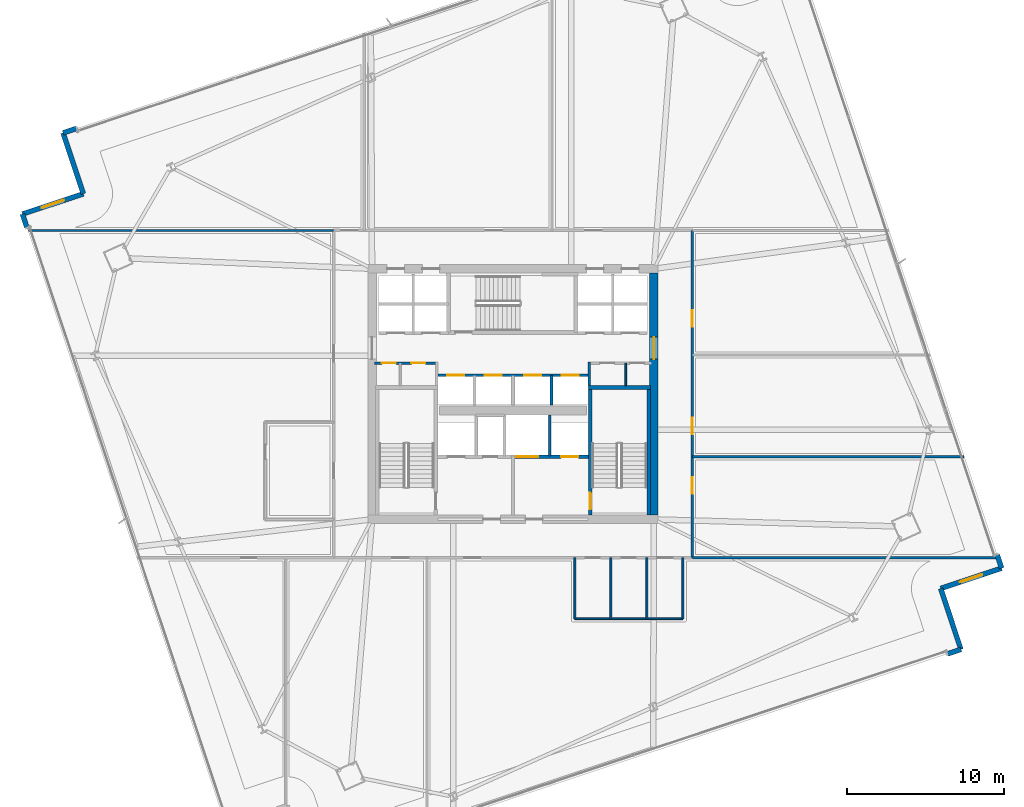
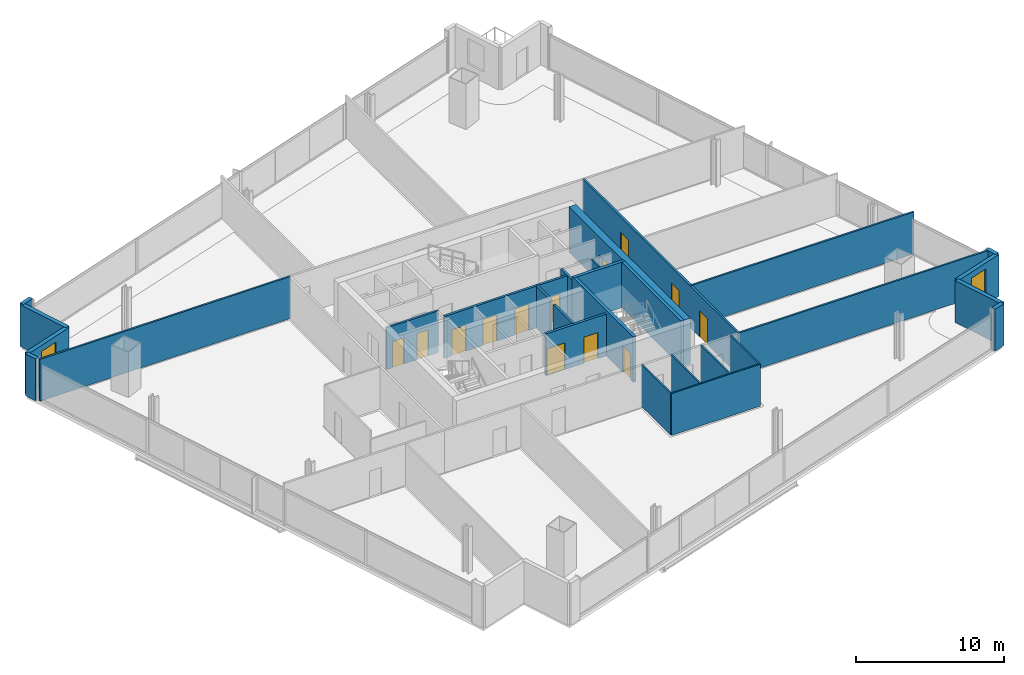
# One storey, part 26 of 34: 28 walls, 13 doors, 2 windows, 15 openings.
"""IFC4 building model written with IfcOpenShell, lengths in metres."""

from ifc_helpers import new_model, si_unit, direction, frame, frame_2d, origin, place, context, subcontext, project, spatial, rectangle, extrude, material, layer, layer_set, type_object, element, fill, save


model = new_model("IFC4")

# Units and contexts
model_context = context("Model", 3, precision=1e-05, world=origin(), true_north=direction((0.0, 1.0)))
body_context = subcontext(model_context, "Body", "Model", "MODEL_VIEW")
ifc_project = project(units=[si_unit("LENGTHUNIT", "METRE"), si_unit("AREAUNIT", "SQUARE_METRE"), si_unit("VOLUMEUNIT", "CUBIC_METRE"), si_unit("PLANEANGLEUNIT", "RADIAN"), si_unit("MASSUNIT", "GRAM", prefix="KILO")], contexts=[model_context])

# Site, building, storey
site_placement = place(None, origin())
site = spatial("IfcSite", under=ifc_project, at=site_placement, CompositionType="ELEMENT")
building_placement = place(site_placement, origin())
building = spatial("IfcBuilding", under=site, at=building_placement, Name="Haldenkirk Collegiate Tower", CompositionType="ELEMENT")
storey_placement = place(building_placement, frame((0.0, 0.0, 90.449951171875)))
storey = spatial("IfcBuildingStorey", under=building, at=storey_placement, Name="L21", CompositionType="ELEMENT", Elevation=90.449951171875)

# Wall, opening, door
ifc_material_1 = material(Name="Concrete f'c 70 MPa", Category="concrete")
ifc_layer_1 = layer(ifc_material_1, 0.550048828125)
ifc_layer_set_1 = layer_set([ifc_layer_1], Name="Concrete f'c 70 MPa")
wall_type_1 = type_object("IfcWallType", Name="WL-CORE-550", PredefinedType="SHEAR", material=ifc_layer_set_1)
wall_1_placement = place(storey_placement, frame((45.0, 18.27490234375, 0.0), z_axis=(0.0, 0.0, 1.0), x_axis=(0.0, 1.0, 0.0)))
wall_1 = element("IfcWall", 1, at=wall_1_placement, inside=storey, type_object=wall_type_1, Name="L21 central core shear wall E", PredefinedType="SHEAR", context=body_context, shape_type="SweptSolid", body=[
    extrude(rectangle(XDim=15.4501953125, YDim=0.550048828125, at=frame_2d((7.72509765625, 0.0))), origin(), (0.0, 0.0, 1.0), 3.75),
])
opening_1_placement = place(wall_1_placement, frame((9.965087890625, 0.0, 0.0)))
opening_1 = element("IfcOpeningElement", 2, at=opening_1_placement, cuts=wall_1, Name="Opening D-03", PredefinedType="OPENING", context=body_context, shape_type="SweptSolid", body=[
    extrude(rectangle(XDim=1.39990234375, YDim=2.199951171875, at=frame_2d((0.699951171875, 1.10009765625))), frame((0.0, 0.284912109375, 0.0), z_axis=(0.0, -1.0, 0.0), x_axis=(1.0, 0.0, 0.0)), (0.0, 0.0, 1.0), 0.570068359375),
])
ifc_material_2 = material(Name="Galvanized fire-rated hollow steel door", Category="steel")
ifc_layer_2 = layer(ifc_material_2, 0.06005859375)
ifc_layer_set_2 = layer_set([ifc_layer_2], Name="Galvanized fire-rated hollow steel door")
door_type_1 = type_object("IfcDoorType", Name="DR-LOBBY-FD90-1400", OperationType="NOTDEFINED", PredefinedType="DOOR", material=ifc_layer_set_2)
door_1_placement = place(opening_1_placement, origin())
door_1 = element("IfcDoor", 3, at=door_1_placement, inside=storey, type_object=door_type_1, Name="L21 east lift lobby portal", OperationType="DOUBLE_DOOR_SINGLE_SWING", OverallHeight=2.199951171875, OverallWidth=1.39990234375, PredefinedType="DOOR", context=body_context, shape_type="SweptSolid", body=[
    extrude(rectangle(XDim=1.39990234375, YDim=2.199951171875, at=frame_2d((0.699951171875, 1.10009765625))), frame((0.0, 0.02490234375, 0.0), z_axis=(0.0, -1.0, 0.0), x_axis=(1.0, 0.0, 0.0)), (0.0, 0.0, 1.0), 0.050048828125),
])
fill(opening_1, door_1)

# Walls
ifc_material_3 = material(Name="Precast concrete f'c 40 MPa", Category="concrete")
ifc_layer_3 = layer(ifc_material_3, 0.320068359375)
ifc_layer_set_3 = layer_set([ifc_layer_3], Name="Precast concrete f'c 40 MPa")
wall_type_2 = type_object("IfcWallType", Name="WL-EXT-TWR-320", PredefinedType="STANDARD", material=ifc_layer_set_3)
wall_2_placement = place(storey_placement, frame((64.608642578125, 9.69677734375, 0.0), z_axis=(0.0, 0.0, 1.0), x_axis=(-0.948845924708, -0.315739467227, 0.0)))
element("IfcWall", 4, at=wall_2_placement, inside=storey, type_object=wall_type_2, Name="L21 precast corner pier SL", PredefinedType="STANDARD", context=body_context, shape_type="SweptSolid", body=[
    extrude(rectangle(XDim=0.900146484375, YDim=0.320068359375, at=frame_2d((0.4501953125, 0.0))), origin(), (0.0, 0.0, 1.0), 3.449951171875),
])
wall_3_placement = place(storey_placement, frame((63.314453125, 13.587158203125, 0.0), z_axis=(0.0, 0.0, 1.0), x_axis=(0.315656062089, -0.948873674662, 0.0)))
element("IfcWall", 5, at=wall_3_placement, inside=storey, type_object=wall_type_2, Name="L21 bronze precast notch wall 02", PredefinedType="STANDARD", context=body_context, shape_type="SweptSolid", body=[
    extrude(rectangle(XDim=4.10009765625, YDim=0.320068359375, at=frame_2d((2.050048828125, 0.0))), origin(), (0.0, 0.0, 1.0), 3.449951171875),
])

# Wall, opening, window
wall_4_placement = place(storey_placement, frame((67.204833984375, 14.88134765625, 0.0), z_axis=(0.0, 0.0, 1.0), x_axis=(-0.948873674662, -0.315656062089, 0.0)))
wall_4 = element("IfcWall", 6, at=wall_4_placement, inside=storey, type_object=wall_type_2, Name="L21 bronze precast notch wall 03", PredefinedType="STANDARD", context=body_context, shape_type="SweptSolid", body=[
    extrude(rectangle(XDim=4.10009765625, YDim=0.320068359375, at=frame_2d((2.050048828125, 0.0))), origin(), (0.0, 0.0, 1.0), 3.449951171875),
])
opening_2_placement = place(wall_4_placement, frame((1.300048828125, 0.0, 0.85009765625)))
opening_2 = element("IfcOpeningElement", 7, at=opening_2_placement, cuts=wall_4, Name="Opening W-04", PredefinedType="OPENING", context=body_context, shape_type="SweptSolid", body=[
    extrude(rectangle(XDim=1.5, YDim=2.10009765625, at=frame_2d((0.75, 1.050048828125))), frame((0.0, 0.169921875, 0.0), z_axis=(0.0, -1.0, 0.0), x_axis=(1.0, 0.0, 0.0)), (0.0, 0.0, 1.0), 0.340087890625),
])
ifc_material_4 = material(Name="Low-E argon triple insulating glass", Category="glass")
ifc_layer_4 = layer(ifc_material_4, 0.090087890625)
ifc_layer_set_4 = layer_set([ifc_layer_4], Name="Low-E argon triple insulating glass")
window_type = type_object("IfcWindowType", Name="WN-Z2-1500X2100", PartitioningType="SINGLE_PANEL", PredefinedType="WINDOW", material=ifc_layer_set_4)
window_1_placement = place(opening_2_placement, origin())
window_1 = element("IfcWindow", 8, at=window_1_placement, inside=storey, type_object=window_type, Name="L21 precast-frame academic window 2", OverallHeight=2.10009765625, OverallWidth=1.5, PartitioningType="SINGLE_PANEL", PredefinedType="WINDOW", context=body_context, shape_type="SweptSolid", body=[
    extrude(rectangle(XDim=1.5, YDim=2.10009765625, at=frame_2d((0.75, 1.050048828125))), frame((0.0, 0.030029296875, 0.0), z_axis=(0.0, -1.0, 0.0), x_axis=(1.0, 0.0, 0.0)), (0.0, 0.0, 1.0), 0.06005859375),
])
fill(opening_2, window_1)

# Walls
wall_5_placement = place(storey_placement, frame((66.9208984375, 15.7353515625, 0.0), z_axis=(0.0, 0.0, 1.0), x_axis=(0.315495223698, -0.948927164657, 0.0)))
element("IfcWall", 9, at=wall_5_placement, inside=storey, type_object=wall_type_2, Name="L21 precast corner pier ER", PredefinedType="STANDARD", context=body_context, shape_type="SweptSolid", body=[
    extrude(rectangle(XDim=0.89990234375, YDim=0.320068359375, at=frame_2d((0.449951171875, 0.0))), origin(), (0.0, 0.0, 1.0), 3.449951171875),
])
wall_6_placement = place(storey_placement, frame((7.26513671875, 42.6826171875, 0.0), z_axis=(0.0, 0.0, 1.0), x_axis=(0.948845924708, 0.315739467227, 0.0)))
element("IfcWall", 10, at=wall_6_placement, inside=storey, type_object=wall_type_2, Name="L21 precast corner pier NL", PredefinedType="STANDARD", context=body_context, shape_type="SweptSolid", body=[
    extrude(rectangle(XDim=0.900146484375, YDim=0.320068359375, at=frame_2d((0.4501953125, 0.0))), origin(), (0.0, 0.0, 1.0), 3.449951171875),
])
wall_7_placement = place(storey_placement, frame((8.55908203125, 38.792236328125, 0.0), z_axis=(0.0, 0.0, 1.0), x_axis=(-0.315602447205, 0.948891508719, 0.0)))
element("IfcWall", 11, at=wall_7_placement, inside=storey, type_object=wall_type_2, Name="L21 bronze precast notch wall 08", PredefinedType="STANDARD", context=body_context, shape_type="SweptSolid", body=[
    extrude(rectangle(XDim=4.099853515625, YDim=0.320068359375, at=frame_2d((2.0498046875, 0.0))), origin(), (0.0, 0.0, 1.0), 3.449951171875),
])

# Wall, opening, window
wall_8_placement = place(storey_placement, frame((4.668701171875, 37.498291015625, 0.0), z_axis=(0.0, 0.0, 1.0), x_axis=(0.948891508719, 0.315602447205, 0.0)))
wall_8 = element("IfcWall", 12, at=wall_8_placement, inside=storey, type_object=wall_type_2, Name="L21 bronze precast notch wall 09", PredefinedType="STANDARD", context=body_context, shape_type="SweptSolid", body=[
    extrude(rectangle(XDim=4.099853515625, YDim=0.320068359375, at=frame_2d((2.0498046875, 0.0))), origin(), (0.0, 0.0, 1.0), 3.449951171875),
])
opening_3_placement = place(wall_8_placement, frame((1.300048828125, 0.0, 0.85009765625)))
opening_3 = element("IfcOpeningElement", 13, at=opening_3_placement, cuts=wall_8, Name="Opening W-04", PredefinedType="OPENING", context=body_context, shape_type="SweptSolid", body=[
    extrude(rectangle(XDim=1.5, YDim=2.10009765625, at=frame_2d((0.75, 1.050048828125))), frame((0.0, 0.169921875, 0.0), z_axis=(0.0, -1.0, 0.0), x_axis=(1.0, 0.0, 0.0)), (0.0, 0.0, 1.0), 0.340087890625),
])
window_2_placement = place(opening_3_placement, origin())
window_2 = element("IfcWindow", 14, at=window_2_placement, inside=storey, type_object=window_type, Name="L21 precast-frame academic window 8", OverallHeight=2.10009765625, OverallWidth=1.5, PartitioningType="SINGLE_PANEL", PredefinedType="WINDOW", context=body_context, shape_type="SweptSolid", body=[
    extrude(rectangle(XDim=1.5, YDim=2.10009765625, at=frame_2d((0.75, 1.050048828125))), frame((0.0, 0.030029296875, 0.0), z_axis=(0.0, -1.0, 0.0), x_axis=(1.0, 0.0, 0.0)), (0.0, 0.0, 1.0), 0.06005859375),
])
fill(opening_3, window_2)

# Wall
wall_9_placement = place(storey_placement, frame((4.952880859375, 36.644287109375, 0.0), z_axis=(0.0, 0.0, 1.0), x_axis=(-0.315739467227, 0.948845924708, 0.0)))
element("IfcWall", 15, at=wall_9_placement, inside=storey, type_object=wall_type_2, Name="L21 precast corner pier WR", PredefinedType="STANDARD", context=body_context, shape_type="SweptSolid", body=[
    extrude(rectangle(XDim=0.900146484375, YDim=0.320068359375, at=frame_2d((0.4501953125, 0.0))), origin(), (0.0, 0.0, 1.0), 3.449951171875),
])

# Wall, openings, doors
ifc_material_5 = material(Name="Acoustic fire-rated gypsum partition", Category="concrete")
ifc_layer_5 = layer(ifc_material_5, 0.159912109375)
ifc_layer_set_5 = layer_set([ifc_layer_5], Name="Acoustic fire-rated gypsum partition")
wall_type_3 = type_object("IfcWallType", Name="WL-INT-CORR-160", PredefinedType="PARTITIONING", material=ifc_layer_set_5)
wall_10_placement = place(storey_placement, frame((27.14990234375, 27.97998046875, 0.0), z_axis=(0.0, 0.0, 1.0), x_axis=(1.0, 0.0, 0.0)))
wall_10 = element("IfcWall", 16, at=wall_10_placement, inside=storey, type_object=wall_type_3, Name="L21 interior partition IW-L21-VCSW-N", PredefinedType="PARTITIONING", context=body_context, shape_type="SweptSolid", body=[
    extrude(rectangle(XDim=4.050048828125, YDim=0.159912109375, at=frame_2d((2.02490234375, 0.0))), origin(), (0.0, 0.0, 1.0), 3.449951171875),
])
opening_4_placement = place(wall_10_placement, frame((0.469970703125, 0.0, 0.0)))
opening_4 = element("IfcOpeningElement", 17, at=opening_4_placement, cuts=wall_10, Name="Opening D-11", PredefinedType="OPENING", context=body_context, shape_type="SweptSolid", body=[
    extrude(rectangle(XDim=0.89990234375, YDim=2.14990234375, at=frame_2d((0.449951171875, 1.074951171875))), frame((0.0, 0.08984375, 0.0), z_axis=(0.0, -1.0, 0.0), x_axis=(1.0, 0.0, 0.0)), (0.0, 0.0, 1.0), 0.179931640625),
])
opening_5_placement = place(wall_10_placement, frame((2.360107421875, 0.0, 0.0)))
opening_5 = element("IfcOpeningElement", 18, at=opening_5_placement, cuts=wall_10, Name="Opening D-11", PredefinedType="OPENING", context=body_context, shape_type="SweptSolid", body=[
    extrude(rectangle(XDim=0.89990234375, YDim=2.14990234375, at=frame_2d((0.449951171875, 1.074951171875))), frame((0.0, 0.08984375, 0.0), z_axis=(0.0, -1.0, 0.0), x_axis=(1.0, 0.0, 0.0)), (0.0, 0.0, 1.0), 0.179931640625),
])
ifc_material_6 = material(Name="Solid-core architectural oak fire door", Category="wood")
ifc_layer_6 = layer(ifc_material_6, 0.06005859375)
ifc_layer_set_6 = layer_set([ifc_layer_6], Name="Solid-core architectural oak fire door")
door_type_2 = type_object("IfcDoorType", Name="DR-INT-FD60-900", OperationType="NOTDEFINED", PredefinedType="DOOR", material=ifc_layer_set_6)
door_2_placement = place(opening_4_placement, origin())
door_2 = element("IfcDoor", 19, at=door_2_placement, inside=storey, type_object=door_type_2, Name="L21 core AV closet door", OperationType="SINGLE_SWING_LEFT", OverallHeight=2.14990234375, OverallWidth=0.89990234375, PredefinedType="DOOR", context=body_context, shape_type="SweptSolid", body=[
    extrude(rectangle(XDim=0.89990234375, YDim=2.14990234375, at=frame_2d((0.449951171875, 1.074951171875))), frame((0.0, 0.02490234375, 0.0), z_axis=(0.0, -1.0, 0.0), x_axis=(1.0, 0.0, 0.0)), (0.0, 0.0, 1.0), 0.050048828125),
])
fill(opening_4, door_2)
door_3_placement = place(opening_5_placement, origin())
door_3 = element("IfcDoor", 20, at=door_3_placement, inside=storey, type_object=door_type_2, Name="L21 core supply closet door", OperationType="SINGLE_SWING_RIGHT", OverallHeight=2.14990234375, OverallWidth=0.89990234375, PredefinedType="DOOR", context=body_context, shape_type="SweptSolid", body=[
    extrude(rectangle(XDim=0.89990234375, YDim=2.14990234375, at=frame_2d((0.449951171875, 1.074951171875))), frame((0.0, 0.02490234375, 0.0), z_axis=(0.0, -1.0, 0.0), x_axis=(1.0, 0.0, 0.0)), (0.0, 0.0, 1.0), 0.050048828125),
])
fill(opening_5, door_3)

# Wall
wall_11_placement = place(storey_placement, frame((40.8798828125, 26.5400390625, 0.0), z_axis=(0.0, 0.0, 1.0), x_axis=(0.0, 1.0, 0.0)))
element("IfcWall", 21, at=wall_11_placement, inside=storey, type_object=wall_type_3, Name="L21 interior partition IW-L21-VCSE-W", PredefinedType="PARTITIONING", context=body_context, shape_type="SweptSolid", body=[
    extrude(rectangle(XDim=1.510009765625, YDim=0.159912109375, at=frame_2d((0.7548828125, 0.0))), origin(), (0.0, 0.0, 1.0), 3.449951171875),
])

# Wall, openings, doors
wall_12_placement = place(storey_placement, frame((47.449951171875, 15.550048828125, 0.0), z_axis=(0.0, 0.0, 1.0), x_axis=(0.0, 1.0, 0.0)))
wall_12 = element("IfcWall", 22, at=wall_12_placement, inside=storey, type_object=wall_type_3, Name="L21 interior partition IW-L21-CE", PredefinedType="PARTITIONING", context=body_context, shape_type="SweptSolid", body=[
    extrude(rectangle(XDim=20.89990234375, YDim=0.159912109375, at=frame_2d((10.449951171875, 0.0))), origin(), (0.0, 0.0, 1.0), 3.449951171875),
])
opening_6_placement = place(wall_12_placement, frame((4.0869140625, 0.0, 0.0)))
opening_6 = element("IfcOpeningElement", 23, at=opening_6_placement, cuts=wall_12, Name="Opening D-09", PredefinedType="OPENING", context=body_context, shape_type="SweptSolid", body=[
    extrude(rectangle(XDim=1.050048828125, YDim=2.14990234375, at=frame_2d((0.52490234375, 1.074951171875))), frame((0.0, 0.08984375, 0.0), z_axis=(0.0, -1.0, 0.0), x_axis=(1.0, 0.0, 0.0)), (0.0, 0.0, 1.0), 0.179931640625),
])
opening_7_placement = place(wall_12_placement, frame((7.885009765625, 0.0, 0.0)))
opening_7 = element("IfcOpeningElement", 24, at=opening_7_placement, cuts=wall_12, Name="Opening D-09", PredefinedType="OPENING", context=body_context, shape_type="SweptSolid", body=[
    extrude(rectangle(XDim=1.050048828125, YDim=2.14990234375, at=frame_2d((0.52490234375, 1.074951171875))), frame((0.0, 0.08984375, 0.0), z_axis=(0.0, -1.0, 0.0), x_axis=(1.0, 0.0, 0.0)), (0.0, 0.0, 1.0), 0.179931640625),
])
opening_8_placement = place(wall_12_placement, frame((14.742919921875, 0.0, 0.0)))
opening_8 = element("IfcOpeningElement", 25, at=opening_8_placement, cuts=wall_12, Name="Opening D-09", PredefinedType="OPENING", context=body_context, shape_type="SweptSolid", body=[
    extrude(rectangle(XDim=1.050048828125, YDim=2.14990234375, at=frame_2d((0.52490234375, 1.074951171875))), frame((0.0, 0.08984375, 0.0), z_axis=(0.0, -1.0, 0.0), x_axis=(1.0, 0.0, 0.0)), (0.0, 0.0, 1.0), 0.179931640625),
])
ifc_layer_7 = layer(ifc_material_6, 0.06005859375)
ifc_layer_set_7 = layer_set([ifc_layer_7], Name="Solid-core architectural oak fire door")
door_type_3 = type_object("IfcDoorType", Name="DR-INT-FD60-1050", OperationType="NOTDEFINED", PredefinedType="DOOR", material=ifc_layer_set_7)
door_4_placement = place(opening_6_placement, origin())
door_4 = element("IfcDoor", 26, at=door_4_placement, inside=storey, type_object=door_type_3, Name="L21 Academic Counseling Clinic 8 door", OperationType="SINGLE_SWING_LEFT", OverallHeight=2.14990234375, OverallWidth=1.050048828125, PredefinedType="DOOR", context=body_context, shape_type="SweptSolid", body=[
    extrude(rectangle(XDim=1.050048828125, YDim=2.14990234375, at=frame_2d((0.52490234375, 1.074951171875))), frame((0.0, 0.02490234375, 0.0), z_axis=(0.0, -1.0, 0.0), x_axis=(1.0, 0.0, 0.0)), (0.0, 0.0, 1.0), 0.050048828125),
])
fill(opening_6, door_4)
door_5_placement = place(opening_7_placement, origin())
door_5 = element("IfcDoor", 27, at=door_5_placement, inside=storey, type_object=door_type_3, Name="L21 Ergonomics Clinic 9 door", OperationType="SINGLE_SWING_RIGHT", OverallHeight=2.14990234375, OverallWidth=1.050048828125, PredefinedType="DOOR", context=body_context, shape_type="SweptSolid", body=[
    extrude(rectangle(XDim=1.050048828125, YDim=2.14990234375, at=frame_2d((0.52490234375, 1.074951171875))), frame((0.0, 0.02490234375, 0.0), z_axis=(0.0, -1.0, 0.0), x_axis=(1.0, 0.0, 0.0)), (0.0, 0.0, 1.0), 0.050048828125),
])
fill(opening_7, door_5)
door_6_placement = place(opening_8_placement, origin())
door_6 = element("IfcDoor", 28, at=door_6_placement, inside=storey, type_object=door_type_3, Name="L21 Occupational Health Clinic 10 door", OperationType="SINGLE_SWING_LEFT", OverallHeight=2.14990234375, OverallWidth=1.050048828125, PredefinedType="DOOR", context=body_context, shape_type="SweptSolid", body=[
    extrude(rectangle(XDim=1.050048828125, YDim=2.14990234375, at=frame_2d((0.52490234375, 1.074951171875))), frame((0.0, 0.02490234375, 0.0), z_axis=(0.0, -1.0, 0.0), x_axis=(1.0, 0.0, 0.0)), (0.0, 0.0, 1.0), 0.050048828125),
])
fill(opening_8, door_6)

# Walls
ifc_layer_8 = layer(ifc_material_5, 0.139892578125)
ifc_layer_set_8 = layer_set([ifc_layer_8], Name="Acoustic fire-rated gypsum partition")
wall_type_4 = type_object("IfcWallType", Name="WL-INT-DIV-140", PredefinedType="PARTITIONING", material=ifc_layer_set_8)
wall_13_placement = place(storey_placement, frame((5.0595703125, 36.449951171875, 0.0), z_axis=(0.0, 0.0, 1.0), x_axis=(1.0, 0.0, 0.0)))
element("IfcWall", 29, at=wall_13_placement, inside=storey, type_object=wall_type_4, Name="L21 interior partition IW-L21-BWN", PredefinedType="PARTITIONING", context=body_context, shape_type="SweptSolid", body=[
    extrude(rectangle(XDim=19.490478515625, YDim=0.139892578125, at=frame_2d((9.7451171875, 0.0))), origin(), (0.0, 0.0, 1.0), 3.449951171875),
])
wall_14_placement = place(storey_placement, frame((47.449951171875, 15.550048828125, 0.0), z_axis=(0.0, 0.0, 1.0), x_axis=(1.0, 0.0, 0.0)))
element("IfcWall", 30, at=wall_14_placement, inside=storey, type_object=wall_type_4, Name="L21 interior partition IW-L21-BES", PredefinedType="PARTITIONING", context=body_context, shape_type="SweptSolid", body=[
    extrude(rectangle(XDim=19.490234375, YDim=0.139892578125, at=frame_2d((9.7451171875, 0.0))), origin(), (0.0, 0.0, 1.0), 3.449951171875),
])
wall_15_placement = place(storey_placement, frame((47.449951171875, 22.0, 0.0), z_axis=(0.0, 0.0, 1.0), x_axis=(1.0, 0.0, 0.0)))
element("IfcWall", 31, at=wall_15_placement, inside=storey, type_object=wall_type_4, Name="L21 interior partition IW-L21-RE1", PredefinedType="PARTITIONING", context=body_context, shape_type="SweptSolid", body=[
    extrude(rectangle(XDim=17.3447265625, YDim=0.139892578125, at=frame_2d((8.67236328125, 0.0))), origin(), (0.0, 0.0, 1.0), 3.449951171875),
])
ifc_material_7 = material(Name="Fire-rated gypsum shaftboard assembly", Category="concrete")
ifc_layer_9 = layer(ifc_material_7, 0.179931640625)
ifc_layer_set_9 = layer_set([ifc_layer_9], Name="Fire-rated gypsum shaftboard assembly")
wall_type_5 = type_object("IfcWallType", Name="WL-INT-SHAFT-180", PredefinedType="PARTITIONING", material=ifc_layer_set_9)
wall_16_placement = place(storey_placement, frame((38.35009765625, 22.050048828125, 0.0), z_axis=(0.0, 0.0, 1.0), x_axis=(0.0, 1.0, 0.0)))
element("IfcWall", 32, at=wall_16_placement, inside=storey, type_object=wall_type_5, Name="L21 interior partition IW-L21-GL1E", PredefinedType="PARTITIONING", context=body_context, shape_type="SweptSolid", body=[
    extrude(rectangle(XDim=2.599853515625, YDim=0.179931640625, at=frame_2d((1.2998046875, 0.0))), origin(), (0.0, 0.0, 1.0), 3.449951171875),
])

# Wall, openings, doors
wall_17_placement = place(storey_placement, frame((31.199951171875, 27.199951171875, 0.0), z_axis=(0.0, 0.0, 1.0), x_axis=(1.0, 0.0, 0.0)))
wall_17 = element("IfcWall", 33, at=wall_17_placement, inside=storey, type_object=wall_type_5, Name="L21 interior partition IW-L21-PHN", PredefinedType="PARTITIONING", context=body_context, shape_type="SweptSolid", body=[
    extrude(rectangle(XDim=9.60009765625, YDim=0.179931640625, at=frame_2d((4.800048828125, 0.0))), origin(), (0.0, 0.0, 1.0), 3.449951171875),
])
opening_9_placement = place(wall_17_placement, frame((0.590087890625, 0.0, 0.0)))
opening_9 = element("IfcOpeningElement", 34, at=opening_9_placement, cuts=wall_17, Name="Opening LD-11", PredefinedType="OPENING", context=body_context, shape_type="SweptSolid", body=[
    extrude(rectangle(XDim=1.10009765625, YDim=2.14990234375, at=frame_2d((0.550048828125, 1.074951171875))), frame((0.0, 0.099853515625, 0.0), z_axis=(0.0, -1.0, 0.0), x_axis=(1.0, 0.0, 0.0)), (0.0, 0.0, 1.0), 0.199951171875),
])
opening_10_placement = place(wall_17_placement, frame((2.989990234375, 0.0, 0.0)))
opening_10 = element("IfcOpeningElement", 35, at=opening_10_placement, cuts=wall_17, Name="Opening LD-11", PredefinedType="OPENING", context=body_context, shape_type="SweptSolid", body=[
    extrude(rectangle(XDim=1.10009765625, YDim=2.14990234375, at=frame_2d((0.550048828125, 1.074951171875))), frame((0.0, 0.099853515625, 0.0), z_axis=(0.0, -1.0, 0.0), x_axis=(1.0, 0.0, 0.0)), (0.0, 0.0, 1.0), 0.199951171875),
])
opening_11_placement = place(wall_17_placement, frame((5.510009765625, 0.0, 0.0)))
opening_11 = element("IfcOpeningElement", 36, at=opening_11_placement, cuts=wall_17, Name="Opening LD-11", PredefinedType="OPENING", context=body_context, shape_type="SweptSolid", body=[
    extrude(rectangle(XDim=1.10009765625, YDim=2.14990234375, at=frame_2d((0.550048828125, 1.074951171875))), frame((0.0, 0.099853515625, 0.0), z_axis=(0.0, -1.0, 0.0), x_axis=(1.0, 0.0, 0.0)), (0.0, 0.0, 1.0), 0.199951171875),
])
opening_12_placement = place(wall_17_placement, frame((7.909912109375, 0.0, 0.0)))
opening_12 = element("IfcOpeningElement", 37, at=opening_12_placement, cuts=wall_17, Name="Opening LD-11", PredefinedType="OPENING", context=body_context, shape_type="SweptSolid", body=[
    extrude(rectangle(XDim=1.10009765625, YDim=2.14990234375, at=frame_2d((0.550048828125, 1.074951171875))), frame((0.0, 0.099853515625, 0.0), z_axis=(0.0, -1.0, 0.0), x_axis=(1.0, 0.0, 0.0)), (0.0, 0.0, 1.0), 0.199951171875),
])
ifc_material_8 = material(Name="Brushed architectural stainless steel", Category="steel")
ifc_layer_10 = layer(ifc_material_8, 0.06005859375)
ifc_layer_set_10 = layer_set([ifc_layer_10], Name="Brushed architectural stainless steel")
door_type_4 = type_object("IfcDoorType", Name="LD-PASS-1100", OperationType="NOTDEFINED", PredefinedType="DOOR", material=ifc_layer_set_10)
door_7_placement = place(opening_9_placement, origin())
door_7 = element("IfcDoor", 38, at=door_7_placement, inside=storey, type_object=door_type_4, Name="L21 Elevator PH1 sliding landing door", OperationType="SLIDING_TO_LEFT", OverallHeight=2.14990234375, OverallWidth=1.10009765625, PredefinedType="DOOR", context=body_context, shape_type="SweptSolid", body=[
    extrude(rectangle(XDim=1.10009765625, YDim=2.14990234375, at=frame_2d((0.550048828125, 1.074951171875))), frame((0.0, 0.02490234375, 0.0), z_axis=(0.0, -1.0, 0.0), x_axis=(1.0, 0.0, 0.0)), (0.0, 0.0, 1.0), 0.050048828125),
])
fill(opening_9, door_7)
door_8_placement = place(opening_10_placement, origin())
door_8 = element("IfcDoor", 39, at=door_8_placement, inside=storey, type_object=door_type_4, Name="L21 Elevator PH2 sliding landing door", OperationType="SLIDING_TO_LEFT", OverallHeight=2.14990234375, OverallWidth=1.10009765625, PredefinedType="DOOR", context=body_context, shape_type="SweptSolid", body=[
    extrude(rectangle(XDim=1.10009765625, YDim=2.14990234375, at=frame_2d((0.550048828125, 1.074951171875))), frame((0.0, 0.02490234375, 0.0), z_axis=(0.0, -1.0, 0.0), x_axis=(1.0, 0.0, 0.0)), (0.0, 0.0, 1.0), 0.050048828125),
])
fill(opening_10, door_8)
door_9_placement = place(opening_11_placement, origin())
door_9 = element("IfcDoor", 40, at=door_9_placement, inside=storey, type_object=door_type_4, Name="L21 Elevator PH3 sliding landing door", OperationType="SLIDING_TO_LEFT", OverallHeight=2.14990234375, OverallWidth=1.10009765625, PredefinedType="DOOR", context=body_context, shape_type="SweptSolid", body=[
    extrude(rectangle(XDim=1.10009765625, YDim=2.14990234375, at=frame_2d((0.550048828125, 1.074951171875))), frame((0.0, 0.02490234375, 0.0), z_axis=(0.0, -1.0, 0.0), x_axis=(1.0, 0.0, 0.0)), (0.0, 0.0, 1.0), 0.050048828125),
])
fill(opening_11, door_9)
door_10_placement = place(opening_12_placement, origin())
door_10 = element("IfcDoor", 41, at=door_10_placement, inside=storey, type_object=door_type_4, Name="L21 Elevator PH4 sliding landing door", OperationType="SLIDING_TO_LEFT", OverallHeight=2.14990234375, OverallWidth=1.10009765625, PredefinedType="DOOR", context=body_context, shape_type="SweptSolid", body=[
    extrude(rectangle(XDim=1.10009765625, YDim=2.14990234375, at=frame_2d((0.550048828125, 1.074951171875))), frame((0.0, 0.02490234375, 0.0), z_axis=(0.0, -1.0, 0.0), x_axis=(1.0, 0.0, 0.0)), (0.0, 0.0, 1.0), 0.050048828125),
])
fill(opening_12, door_10)

# Wall
wall_18_placement = place(storey_placement, frame((38.4599609375, 25.300048828125, 0.0), z_axis=(0.0, 0.0, 1.0), x_axis=(0.0, 1.0, 0.0)))
element("IfcWall", 42, at=wall_18_placement, inside=storey, type_object=wall_type_5, Name="L21 interior partition IW-L21-PHV3", PredefinedType="PARTITIONING", context=body_context, shape_type="SweptSolid", body=[
    extrude(rectangle(XDim=1.89990234375, YDim=0.179931640625, at=frame_2d((0.949951171875, 0.0))), origin(), (0.0, 0.0, 1.0), 3.449951171875),
])

# Wall, openings, doors
ifc_layer_11 = layer(ifc_material_7, 0.199951171875)
ifc_layer_set_11 = layer_set([ifc_layer_11], Name="Fire-rated gypsum shaftboard assembly")
wall_type_6 = type_object("IfcWallType", Name="WL-INT-SHAFT-200", PredefinedType="PARTITIONING", material=ifc_layer_set_11)
wall_19_placement = place(storey_placement, frame((36.1201171875, 22.0, 0.0), z_axis=(0.0, 0.0, 1.0), x_axis=(1.0, 0.0, 0.0)))
wall_19 = element("IfcWall", 43, at=wall_19_placement, inside=storey, type_object=wall_type_6, Name="L21 interior partition IW-L21-FFL2N", PredefinedType="PARTITIONING", context=body_context, shape_type="SweptSolid", body=[
    extrude(rectangle(XDim=4.68994140625, YDim=0.199951171875, at=frame_2d((2.344970703125, 0.0))), origin(), (0.0, 0.0, 1.0), 3.449951171875),
])
opening_13_placement = place(wall_19_placement, frame((2.955078125, 0.0, 0.0)))
opening_13 = element("IfcOpeningElement", 44, at=opening_13_placement, cuts=wall_19, Name="Opening LD-12", PredefinedType="OPENING", context=body_context, shape_type="SweptSolid", body=[
    extrude(rectangle(XDim=1.10009765625, YDim=2.14990234375, at=frame_2d((0.550048828125, 1.074951171875))), frame((0.0, 0.10986328125, 0.0), z_axis=(0.0, -1.0, 0.0), x_axis=(1.0, 0.0, 0.0)), (0.0, 0.0, 1.0), 0.219970703125),
])
opening_14_placement = place(wall_19_placement, frame((0.080078125, 0.0, 0.0)))
opening_14 = element("IfcOpeningElement", 45, at=opening_14_placement, cuts=wall_19, Name="Opening LD-13", PredefinedType="OPENING", context=body_context, shape_type="SweptSolid", body=[
    extrude(rectangle(XDim=1.39990234375, YDim=2.199951171875, at=frame_2d((0.699951171875, 1.10009765625))), frame((0.0, 0.10986328125, 0.0), z_axis=(0.0, -1.0, 0.0), x_axis=(1.0, 0.0, 0.0)), (0.0, 0.0, 1.0), 0.219970703125),
])
ifc_layer_12 = layer(ifc_material_8, 0.06005859375)
ifc_layer_set_12 = layer_set([ifc_layer_12], Name="Brushed architectural stainless steel")
door_type_5 = type_object("IfcDoorType", Name="LD-FIRE-1100", OperationType="NOTDEFINED", PredefinedType="DOOR", material=ifc_layer_set_12)
door_11_placement = place(opening_13_placement, origin())
door_11 = element("IfcDoor", 46, at=door_11_placement, inside=storey, type_object=door_type_5, Name="L21 Elevator FL2 sliding landing door", OperationType="SLIDING_TO_LEFT", OverallHeight=2.14990234375, OverallWidth=1.10009765625, PredefinedType="DOOR", context=body_context, shape_type="SweptSolid", body=[
    extrude(rectangle(XDim=1.10009765625, YDim=2.14990234375, at=frame_2d((0.550048828125, 1.074951171875))), frame((0.0, 0.02490234375, 0.0), z_axis=(0.0, -1.0, 0.0), x_axis=(1.0, 0.0, 0.0)), (0.0, 0.0, 1.0), 0.050048828125),
])
fill(opening_13, door_11)
ifc_layer_13 = layer(ifc_material_8, 0.06005859375)
ifc_layer_set_13 = layer_set([ifc_layer_13], Name="Brushed architectural stainless steel")
door_type_6 = type_object("IfcDoorType", Name="LD-GOODS-1400", OperationType="NOTDEFINED", PredefinedType="DOOR", material=ifc_layer_set_13)
door_12_placement = place(opening_14_placement, origin())
door_12 = element("IfcDoor", 47, at=door_12_placement, inside=storey, type_object=door_type_6, Name="L21 Elevator GL1 sliding landing door", OperationType="SLIDING_TO_LEFT", OverallHeight=2.199951171875, OverallWidth=1.39990234375, PredefinedType="DOOR", context=body_context, shape_type="SweptSolid", body=[
    extrude(rectangle(XDim=1.39990234375, YDim=2.199951171875, at=frame_2d((0.699951171875, 1.10009765625))), frame((0.0, 0.02490234375, 0.0), z_axis=(0.0, -1.0, 0.0), x_axis=(1.0, 0.0, 0.0)), (0.0, 0.0, 1.0), 0.050048828125),
])
fill(opening_14, door_12)

# Walls
ifc_layer_14 = layer(ifc_material_5, 0.1201171875)
ifc_layer_set_14 = layer_set([ifc_layer_14], Name="Acoustic fire-rated gypsum partition")
wall_type_7 = type_object("IfcWallType", Name="WL-INT-WET-120", PredefinedType="PARTITIONING", material=ifc_layer_set_14)
wall_20_placement = place(storey_placement, frame((43.199951171875, 26.5400390625, 0.0), z_axis=(0.0, 0.0, 1.0), x_axis=(0.0, 1.0, 0.0)))
element("IfcWall", 48, at=wall_20_placement, inside=storey, type_object=wall_type_7, Name="L21 interior partition IW-L21-VCSE-M", PredefinedType="PARTITIONING", context=body_context, shape_type="SweptSolid", body=[
    extrude(rectangle(XDim=1.43994140625, YDim=0.1201171875, at=frame_2d((0.719970703125, 0.0))), origin(), (0.0, 0.0, 1.0), 3.449951171875),
])
for number, where, z_axis, x_axis, name in (
    (49, (39.949951171875, 11.64990234375, 0.0), (0.0, 0.0, 1.0), (0.0, 1.0, 0.0), "L21 interior partition IW-L21-WCW"),
    (50, (42.25, 11.64990234375, 0.0), (0.0, 0.0, 1.0), (0.0, 1.0, 0.0), "L21 interior partition IW-L21-WC1"),
    (51, (44.550048828125, 11.64990234375, 0.0), (0.0, 0.0, 1.0), (0.0, 1.0, 0.0), "L21 interior partition IW-L21-WC2"),
    (52, (46.85009765625, 11.64990234375, 0.0), (0.0, 0.0, 1.0), (0.0, 1.0, 0.0), "L21 interior partition IW-L21-WCE"),
):
    element("IfcWall", number, at=place(storey_placement, frame(where, z_axis=z_axis, x_axis=x_axis)), inside=storey, type_object=wall_type_7, Name=name, PredefinedType="PARTITIONING", context=body_context, shape_type="SweptSolid", body=[
        extrude(rectangle(XDim=3.900146484375, YDim=0.1201171875, at=frame_2d((1.9501953125, 0.0))), origin(), (0.0, 0.0, 1.0), 3.449951171875),
    ])
wall_21_placement = place(storey_placement, frame((39.949951171875, 11.64990234375, 0.0), z_axis=(0.0, 0.0, 1.0), x_axis=(1.0, 0.0, 0.0)))
element("IfcWall", 53, at=wall_21_placement, inside=storey, type_object=wall_type_7, Name="L21 interior partition IW-L21-WCB", PredefinedType="PARTITIONING", context=body_context, shape_type="SweptSolid", body=[
    extrude(rectangle(XDim=6.900146484375, YDim=0.1201171875, at=frame_2d((3.4501953125, 0.0))), origin(), (0.0, 0.0, 1.0), 3.449951171875),
])

# Wall, opening, door
ifc_material_9 = material(Name="Concrete f'c 55 MPa", Category="concrete")
ifc_layer_15 = layer(ifc_material_9, 0.239990234375)
ifc_layer_set_15 = layer_set([ifc_layer_15], Name="Concrete f'c 55 MPa")
wall_type_8 = type_object("IfcWallType", Name="WL-SHAFT-240", PredefinedType="SHEAR", material=ifc_layer_set_15)
wall_22_placement = place(storey_placement, frame((40.929931640625, 18.280029296875, 0.0), z_axis=(0.0, 0.0, 1.0), x_axis=(0.0, 1.0, 0.0)))
wall_22 = element("IfcWall", 54, at=wall_22_placement, inside=storey, type_object=wall_type_8, Name="L21 stair shaft shear wall SW-L21-ST2W", PredefinedType="SHEAR", context=body_context, shape_type="SweptSolid", body=[
    extrude(rectangle(XDim=8.260009765625, YDim=0.239990234375, at=frame_2d((4.1298828125, 0.0))), origin(), (0.0, 0.0, 1.0), 3.75),
])
opening_15_placement = place(wall_22_placement, frame((0.364990234375, 0.0, 0.0)))
opening_15 = element("IfcOpeningElement", 55, at=opening_15_placement, cuts=wall_22, Name="Opening D-01", PredefinedType="OPENING", context=body_context, shape_type="SweptSolid", body=[
    extrude(rectangle(XDim=1.050048828125, YDim=2.14990234375, at=frame_2d((0.52490234375, 1.074951171875))), frame((0.0, 0.1298828125, 0.0), z_axis=(0.0, -1.0, 0.0), x_axis=(1.0, 0.0, 0.0)), (0.0, 0.0, 1.0), 0.260009765625),
])
ifc_layer_16 = layer(ifc_material_2, 0.06005859375)
ifc_layer_set_16 = layer_set([ifc_layer_16], Name="Galvanized fire-rated hollow steel door")
door_type_7 = type_object("IfcDoorType", Name="DR-STAIR-FD90-1050", OperationType="NOTDEFINED", PredefinedType="DOOR", material=ifc_layer_set_16)
door_13_placement = place(opening_15_placement, origin())
door_13 = element("IfcDoor", 56, at=door_13_placement, inside=storey, type_object=door_type_7, Name="L21 Stair 2 door", OperationType="SINGLE_SWING_RIGHT", OverallHeight=2.14990234375, OverallWidth=1.050048828125, PredefinedType="DOOR", context=body_context, shape_type="SweptSolid", body=[
    extrude(rectangle(XDim=1.050048828125, YDim=2.14990234375, at=frame_2d((0.52490234375, 1.074951171875))), frame((0.0, 0.02490234375, 0.0), z_axis=(0.0, -1.0, 0.0), x_axis=(1.0, 0.0, 0.0)), (0.0, 0.0, 1.0), 0.050048828125),
])
fill(opening_15, door_13)

# Walls
wall_23_placement = place(storey_placement, frame((40.81005859375, 26.419921875, 0.0), z_axis=(0.0, 0.0, 1.0), x_axis=(1.0, 0.0, 0.0)))
element("IfcWall", 57, at=wall_23_placement, inside=storey, type_object=wall_type_8, Name="L21 stair shaft shear wall SW-L21-ST2N", PredefinedType="SHEAR", context=body_context, shape_type="SweptSolid", body=[
    extrude(rectangle(XDim=3.97998046875, YDim=0.239990234375, at=frame_2d((1.989990234375, 0.0))), origin(), (0.0, 0.0, 1.0), 3.75),
])
wall_24_placement = place(storey_placement, frame((44.669921875, 18.280029296875, 0.0), z_axis=(0.0, 0.0, 1.0), x_axis=(0.0, 1.0, 0.0)))
element("IfcWall", 58, at=wall_24_placement, inside=storey, type_object=wall_type_8, Name="L21 stair shaft shear wall SW-L21-ST2E", PredefinedType="SHEAR", context=body_context, shape_type="SweptSolid", body=[
    extrude(rectangle(XDim=8.260009765625, YDim=0.239990234375, at=frame_2d((4.1298828125, 0.0))), origin(), (0.0, 0.0, 1.0), 3.75),
])

save(model, "model.ifc")
